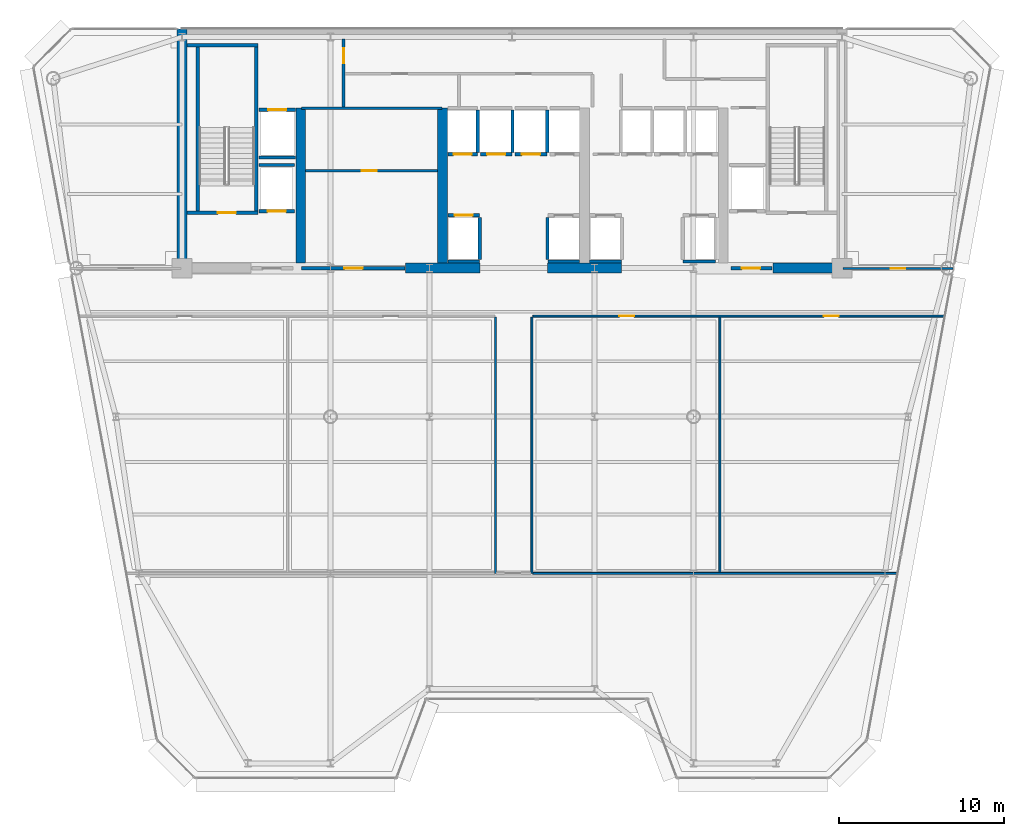
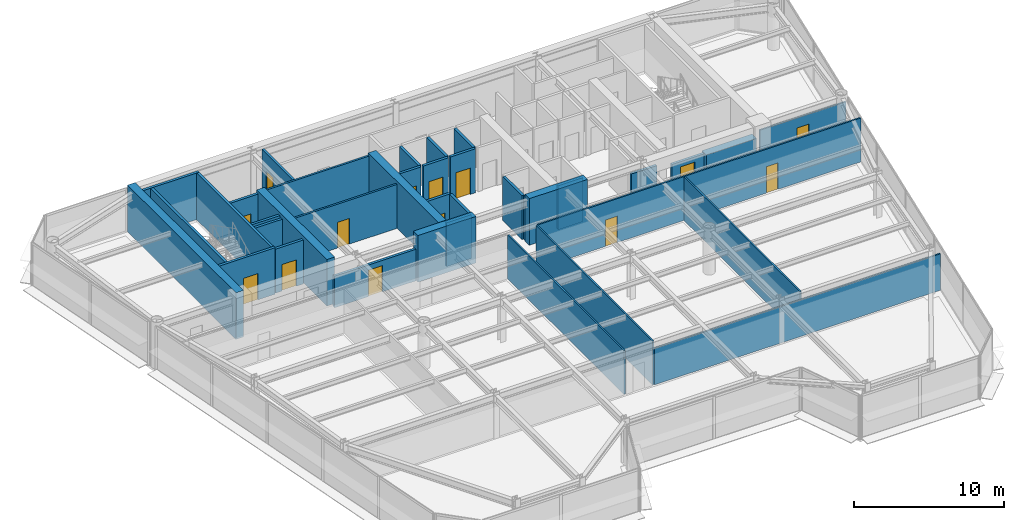
# One storey, part 9 of 15: 38 walls, 14 doors, 14 openings.
"""IFC4 building model written with IfcOpenShell, lengths in metres."""

from ifc_helpers import new_model, si_unit, direction, frame, frame_2d, origin, place, context, subcontext, project, spatial, rectangle, extrude, source, transform, mapped, material, layer, layer_set, type_object, element, fill, save


model = new_model("IFC4")

# Units and contexts
model_context = context("Model", 3, precision=1e-05, world=origin(), true_north=direction((0.0, 1.0)))
body_context = subcontext(model_context, "Body", "Model", "MODEL_VIEW")
ifc_project = project(units=[si_unit("LENGTHUNIT", "METRE"), si_unit("AREAUNIT", "SQUARE_METRE"), si_unit("VOLUMEUNIT", "CUBIC_METRE"), si_unit("PLANEANGLEUNIT", "RADIAN"), si_unit("MASSUNIT", "GRAM", prefix="KILO")], contexts=[model_context])

# Site, building, storey
site_placement = place(None, origin())
site = spatial("IfcSite", under=ifc_project, at=site_placement, CompositionType="ELEMENT")
building_placement = place(site_placement, origin())
building = spatial("IfcBuilding", under=site, at=building_placement, Name="Vaeldorn Concourse Tower", CompositionType="ELEMENT")
storey_placement = place(building_placement, frame((0.0, 0.0, 199.39990234375)))
storey = spatial("IfcBuildingStorey", under=building, at=storey_placement, Name="L51", CompositionType="ELEMENT", Elevation=199.39990234375)

# Walls
ifc_material_1 = material(Name="Concrete C50/60", Category="concrete")
ifc_layer_1 = layer(ifc_material_1, 0.60009765625)
ifc_layer_set_1 = layer_set([ifc_layer_1], Name="Concrete C50/60")
wall_type_1 = type_object("IfcWallType", Name="WL-CORE-600", PredefinedType="SHEAR", material=ifc_layer_set_1)
wall_1_placement = place(storey_placement, frame((14.0, 36.5, 0.0), z_axis=(0.0, 0.0, 1.0), x_axis=(0.0, 1.0, 0.0)))
element("IfcWall", 1, at=wall_1_placement, inside=storey, type_object=wall_type_1, Name="Rear Core Shear Wall L51 W1", PredefinedType="SHEAR", context=body_context, shape_type="SweptSolid", body=[
    extrude(rectangle(XDim=14.5, YDim=0.60009765625, at=frame_2d((7.25, 0.0))), origin(), (0.0, 0.0, 1.0), 3.800048828125),
])
for number, where, z_axis, x_axis, name in (
    (2, (27.550048828125, 36.5, 0.0), (0.0, 0.0, 1.0), (1.0, 0.0, 0.0), "Rear Core Shear Wall L51 S2"),
    (3, (36.14990234375, 36.5, 0.0), (0.0, 0.0, 1.0), (1.0, 0.0, 0.0), "Rear Core Shear Wall L51 S3"),
):
    element("IfcWall", number, at=place(storey_placement, frame(where, z_axis=z_axis, x_axis=x_axis)), inside=storey, type_object=wall_type_1, Name=name, PredefinedType="SHEAR", context=body_context, shape_type="SweptSolid", body=[
        extrude(rectangle(XDim=4.5, YDim=0.60009765625, at=frame_2d((2.25, 0.0))), origin(), (0.0, 0.0, 1.0), 3.800048828125),
    ])
wall_2_placement = place(storey_placement, frame((49.800048828125, 36.5, 0.0), z_axis=(0.0, 0.0, 1.0), x_axis=(1.0, 0.0, 0.0)))
element("IfcWall", 4, at=wall_2_placement, inside=storey, type_object=wall_type_1, Name="Rear Core Shear Wall L51 S4", PredefinedType="SHEAR", context=body_context, shape_type="SweptSolid", body=[
    extrude(rectangle(XDim=3.8798828125, YDim=0.60009765625, at=frame_2d((1.93994140625, 0.0))), origin(), (0.0, 0.0, 1.0), 2.580078125),
])
for number, where, z_axis, x_axis, name in (
    (5, (21.199951171875, 36.820068359375, 0.0), (0.0, 0.0, 1.0), (0.0, 1.0, 0.0), "Rear Core Shear Wall L51 M1"),
    (6, (29.800048828125, 36.820068359375, 0.0), (0.0, 0.0, 1.0), (0.0, 1.0, 0.0), "Rear Core Shear Wall L51 M2"),
):
    element("IfcWall", number, at=place(storey_placement, frame(where, z_axis=z_axis, x_axis=x_axis)), inside=storey, type_object=wall_type_1, Name=name, PredefinedType="SHEAR", context=body_context, shape_type="SweptSolid", body=[
        extrude(rectangle(XDim=9.3798828125, YDim=0.60009765625, at=frame_2d((4.68994140625, 0.0))), origin(), (0.0, 0.0, 1.0), 3.800048828125),
    ])

# Wall, openings, doors
ifc_material_2 = material(Name="Gypsum Board Partition", Category="gypsum")
ifc_layer_2 = layer(ifc_material_2, 0.1201171875)
ifc_layer_set_2 = layer_set([ifc_layer_2], Name="Gypsum Board Partition")
wall_type_2 = type_object("IfcWallType", Name="WL-PART-120", PredefinedType="PARTITIONING", material=ifc_layer_set_2)
wall_3_placement = place(storey_placement, frame((35.260009765625, 33.60009765625, 0.0), z_axis=(0.0, 0.0, 1.0), x_axis=(1.0, 0.0, 0.0)))
wall_3 = element("IfcWall", 7, at=wall_3_placement, inside=storey, type_object=wall_type_2, Name="Interior Wall PW-L51-C2SE", PredefinedType="PARTITIONING", context=body_context, shape_type="SweptSolid", body=[
    extrude(rectangle(XDim=24.927490234375, YDim=0.1201171875, at=frame_2d((12.4638671875, 0.0))), origin(), (0.0, 0.0, 1.0), 3.580078125),
])
opening_1_placement = place(wall_3_placement, frame((5.239990234375, 0.0, 0.0)))
opening_1 = element("IfcOpeningElement", 8, at=opening_1_placement, cuts=wall_3, Name="Opening D-03", PredefinedType="OPENING", context=body_context, shape_type="SweptSolid", body=[
    extrude(rectangle(XDim=0.89990234375, YDim=2.14990234375, at=frame_2d((0.449951171875, 1.074951171875))), frame((0.0, 0.070068359375, 0.0), z_axis=(0.0, -1.0, 0.0), x_axis=(1.0, 0.0, 0.0)), (0.0, 0.0, 1.0), 0.14013671875),
])
opening_2_placement = place(wall_3_placement, frame((17.634033203125, 0.0, 0.0)))
opening_2 = element("IfcOpeningElement", 9, at=opening_2_placement, cuts=wall_3, Name="Opening D-03", PredefinedType="OPENING", context=body_context, shape_type="SweptSolid", body=[
    extrude(rectangle(XDim=0.89990234375, YDim=2.14990234375, at=frame_2d((0.449951171875, 1.074951171875))), frame((0.0, 0.070068359375, 0.0), z_axis=(0.0, -1.0, 0.0), x_axis=(1.0, 0.0, 0.0)), (0.0, 0.0, 1.0), 0.14013671875),
])
ifc_material_3 = material(Name="Acoustic Bronze-Framed Glass Door", Category="glass")
door_type_1 = type_object("IfcDoorType", Name="DR-INT-900", OperationType="NOTDEFINED", PredefinedType="DOOR", material=ifc_material_3)
shared_shape_1 = source(origin(), body_context, "Body", "SweptSolid", [
    extrude(rectangle(XDim=0.89990234375, YDim=2.14990234375, at=frame_2d((0.449951171875, 1.074951171875))), frame((0.0, 0.02490234375, 0.0), z_axis=(0.0, -1.0, 0.0), x_axis=(1.0, 0.0, 0.0)), (0.0, 0.0, 1.0), 0.050048828125),
])
door_1_placement = place(opening_1_placement, origin())
door_1 = element("IfcDoor", 10, at=door_1_placement, inside=storey, type_object=door_type_1, Name="Interior Door DR-L51-Z2E1", OperationType="SINGLE_SWING_RIGHT", OverallHeight=2.14990234375, OverallWidth=0.89990234375, PredefinedType="DOOR", context=body_context, shape_type="MappedRepresentation", body=[
    mapped(shared_shape_1, transform((0.0, 0.0, 0.0), scale=1.0)),
])
fill(opening_1, door_1)
door_2_placement = place(opening_2_placement, origin())
door_2 = element("IfcDoor", 11, at=door_2_placement, inside=storey, type_object=door_type_1, Name="Interior Door DR-L51-Z2E2", OperationType="SINGLE_SWING_LEFT", OverallHeight=2.14990234375, OverallWidth=0.89990234375, PredefinedType="DOOR", context=body_context, shape_type="MappedRepresentation", body=[
    mapped(shared_shape_1, transform((0.0, 0.0, 0.0), scale=1.0)),
])
fill(opening_2, door_2)

# Walls
for number, where, z_axis, x_axis, name in (
    (12, (33.0, 18.0, 0.0), (0.0, 0.0, 1.0), (0.0, 1.0, 0.0), "Interior Wall PW-L51-SP2W"),
    (13, (35.199951171875, 18.0, 0.0), (0.0, 0.0, 1.0), (0.0, 1.0, 0.0), "Interior Wall PW-L51-SP2E"),
):
    element("IfcWall", number, at=place(storey_placement, frame(where, z_axis=z_axis, x_axis=x_axis)), inside=storey, type_object=wall_type_2, Name=name, PredefinedType="PARTITIONING", context=body_context, shape_type="SweptSolid", body=[
        extrude(rectangle(XDim=15.5400390625, YDim=0.1201171875, at=frame_2d((7.77001953125, 0.0))), origin(), (0.0, 0.0, 1.0), 3.580078125),
    ])

# Wall, opening, door
wall_4_placement = place(storey_placement, frame((54.06005859375, 36.47998046875, 0.0), z_axis=(0.0, 0.0, 1.0), x_axis=(1.0, 0.0, 0.0)))
wall_4 = element("IfcWall", 14, at=wall_4_placement, inside=storey, type_object=wall_type_2, Name="Interior Wall PW-L51-NES", PredefinedType="PARTITIONING", context=body_context, shape_type="SweptSolid", body=[
    extrude(rectangle(XDim=6.65087890625, YDim=0.1201171875, at=frame_2d((3.325439453125, 0.0))), origin(), (0.0, 0.0, 1.0), 2.97021484375),
])
opening_3_placement = place(wall_4_placement, frame((2.875, 0.0, 0.0)))
opening_3 = element("IfcOpeningElement", 15, at=opening_3_placement, cuts=wall_4, Name="Opening D-03", PredefinedType="OPENING", context=body_context, shape_type="SweptSolid", body=[
    extrude(rectangle(XDim=0.89990234375, YDim=2.14990234375, at=frame_2d((0.449951171875, 1.074951171875))), frame((0.0, 0.070068359375, 0.0), z_axis=(0.0, -1.0, 0.0), x_axis=(1.0, 0.0, 0.0)), (0.0, 0.0, 1.0), 0.14013671875),
])
door_3_placement = place(opening_3_placement, origin())
door_3 = element("IfcDoor", 16, at=door_3_placement, inside=storey, type_object=door_type_1, Name="Interior Door DR-L51-NEC", OperationType="SINGLE_SWING_RIGHT", OverallHeight=2.14990234375, OverallWidth=0.89990234375, PredefinedType="DOOR", context=body_context, shape_type="MappedRepresentation", body=[
    mapped(shared_shape_1, transform((0.0, 0.0, 0.0), scale=1.0)),
])
fill(opening_3, door_3)

# Walls
wall_5_placement = place(storey_placement, frame((35.260009765625, 18.0, 0.0), z_axis=(0.0, 0.0, 1.0), x_axis=(1.0, 0.0, 0.0)))
element("IfcWall", 17, at=wall_5_placement, inside=storey, type_object=wall_type_2, Name="Interior Wall PW-L51-S2EL", PredefinedType="PARTITIONING", context=body_context, shape_type="SweptSolid", body=[
    extrude(rectangle(XDim=22.0634765625, YDim=0.1201171875, at=frame_2d((11.03173828125, 0.0))), origin(), (0.0, 0.0, 1.0), 2.97021484375),
])
wall_6_placement = place(storey_placement, frame((46.60009765625, 18.06005859375, 0.0), z_axis=(0.0, 0.0, 1.0), x_axis=(0.0, 1.0, 0.0)))
element("IfcWall", 18, at=wall_6_placement, inside=storey, type_object=wall_type_2, Name="Interior Wall PW-L51-Z2EX1", PredefinedType="PARTITIONING", context=body_context, shape_type="SweptSolid", body=[
    extrude(rectangle(XDim=15.47998046875, YDim=0.1201171875, at=frame_2d((7.739990234375, 0.0))), origin(), (0.0, 0.0, 1.0), 3.580078125),
])
ifc_layer_3 = layer(ifc_material_2, 0.14990234375)
ifc_layer_set_3 = layer_set([ifc_layer_3], Name="Gypsum Board Partition")
wall_type_3 = type_object("IfcWallType", Name="WL-PART-150", PredefinedType="PARTITIONING", material=ifc_layer_set_3)
wall_7_placement = place(storey_placement, frame((21.25, 46.199951171875, 0.0), z_axis=(0.0, 0.0, 1.0), x_axis=(1.0, 0.0, 0.0)))
element("IfcWall", 19, at=wall_7_placement, inside=storey, type_object=wall_type_3, Name="Interior Wall CW-L51-R1N", PredefinedType="PARTITIONING", context=body_context, shape_type="SweptSolid", body=[
    extrude(rectangle(XDim=8.5, YDim=0.14990234375, at=frame_2d((4.25, 0.0))), origin(), (0.0, 0.0, 1.0), 3.580078125),
])

# Wall, opening, door
wall_8_placement = place(storey_placement, frame((21.5, 42.39990234375, 0.0), z_axis=(0.0, 0.0, 1.0), x_axis=(1.0, 0.0, 0.0)))
wall_8 = element("IfcWall", 20, at=wall_8_placement, inside=storey, type_object=wall_type_3, Name="Interior Wall CW-L51-R1M", PredefinedType="PARTITIONING", context=body_context, shape_type="SweptSolid", body=[
    extrude(rectangle(XDim=8.0, YDim=0.14990234375, at=frame_2d((4.0, 0.0))), origin(), (0.0, 0.0, 1.0), 3.580078125),
])
opening_4_placement = place(wall_8_placement, frame((3.39990234375, 0.0, 0.0)))
opening_4 = element("IfcOpeningElement", 21, at=opening_4_placement, cuts=wall_8, Name="Opening D-02", PredefinedType="OPENING", context=body_context, shape_type="SweptSolid", body=[
    extrude(rectangle(XDim=0.89990234375, YDim=2.10009765625, at=frame_2d((0.449951171875, 1.050048828125))), frame((0.0, 0.0849609375, 0.0), z_axis=(0.0, -1.0, 0.0), x_axis=(1.0, 0.0, 0.0)), (0.0, 0.0, 1.0), 0.169921875),
])
ifc_material_4 = material(Name="Fire-Rated Timber Leaf", Category="wood")
door_type_2 = type_object("IfcDoorType", Name="DR-FD30-900", OperationType="NOTDEFINED", PredefinedType="DOOR", material=ifc_material_4)
shared_shape_2 = source(origin(), body_context, "Body", "SweptSolid", [
    extrude(rectangle(XDim=0.89990234375, YDim=2.10009765625, at=frame_2d((0.449951171875, 1.050048828125))), frame((0.0, 0.02490234375, 0.0), z_axis=(0.0, -1.0, 0.0), x_axis=(1.0, 0.0, 0.0)), (0.0, 0.0, 1.0), 0.050048828125),
])
door_4_placement = place(opening_4_placement, origin())
door_4 = element("IfcDoor", 22, at=door_4_placement, inside=storey, type_object=door_type_2, Name="Interior Door DR-L51-R1M", OperationType="SINGLE_SWING_RIGHT", OverallHeight=2.10009765625, OverallWidth=0.89990234375, PredefinedType="DOOR", context=body_context, shape_type="MappedRepresentation", body=[
    mapped(shared_shape_2, transform((0.0, 0.0, 0.0), scale=1.0)),
])
fill(opening_4, door_4)

ifc_layer_4 = layer(ifc_material_2, 0.179931640625)
ifc_layer_set_4 = layer_set([ifc_layer_4], Name="Gypsum Board Partition")
wall_type_4 = type_object("IfcWallType", Name="WL-PLUMB-180", PredefinedType="PLUMBINGWALL", material=ifc_layer_set_4)
wall_9_placement = place(storey_placement, frame((23.800048828125, 46.280029296875, 0.0), z_axis=(0.0, 0.0, 1.0), x_axis=(0.0, 1.0, 0.0)))
wall_9 = element("IfcWall", 23, at=wall_9_placement, inside=storey, type_object=wall_type_4, Name="Interior Wall CW-L51-SDIV1", PredefinedType="PLUMBINGWALL", context=body_context, shape_type="SweptSolid", body=[
    extrude(rectangle(XDim=4.099853515625, YDim=0.179931640625, at=frame_2d((2.0498046875, 0.0))), origin(), (0.0, 0.0, 1.0), 3.580078125),
])
opening_5_placement = place(wall_9_placement, frame((2.635009765625, 0.0, 0.0)))
opening_5 = element("IfcOpeningElement", 24, at=opening_5_placement, cuts=wall_9, Name="Opening D-03", PredefinedType="OPENING", context=body_context, shape_type="SweptSolid", body=[
    extrude(rectangle(XDim=0.89990234375, YDim=2.14990234375, at=frame_2d((0.449951171875, 1.074951171875))), frame((0.0, 0.10009765625, 0.0), z_axis=(0.0, -1.0, 0.0), x_axis=(1.0, 0.0, 0.0)), (0.0, 0.0, 1.0), 0.199951171875),
])
door_5_placement = place(opening_5_placement, origin())
door_5 = element("IfcDoor", 25, at=door_5_placement, inside=storey, type_object=door_type_1, Name="Interior Door DR-L51-CS1", OperationType="SINGLE_SWING_LEFT", OverallHeight=2.14990234375, OverallWidth=0.89990234375, PredefinedType="DOOR", context=body_context, shape_type="MappedRepresentation", body=[
    mapped(shared_shape_1, transform((0.0, 0.0, 0.0), scale=1.0)),
])
fill(opening_5, door_5)

ifc_layer_5 = layer(ifc_material_1, 0.199951171875)
ifc_layer_set_5 = layer_set([ifc_layer_5], Name="Concrete C50/60")
wall_type_5 = type_object("IfcWallType", Name="WL-SHAFT-200", PredefinedType="SOLIDWALL", material=ifc_layer_set_5)
wall_10_placement = place(storey_placement, frame((14.300048828125, 39.85009765625, 0.0), z_axis=(0.0, 0.0, 1.0), x_axis=(1.0, 0.0, 0.0)))
wall_10 = element("IfcWall", 26, at=wall_10_placement, inside=storey, type_object=wall_type_5, Name="Stair Shaft Wall CW-L51-ST-1-S", PredefinedType="SOLIDWALL", context=body_context, shape_type="SweptSolid", body=[
    extrude(rectangle(XDim=4.300048828125, YDim=0.199951171875, at=frame_2d((2.14990234375, 0.0))), origin(), (0.0, 0.0, 1.0), 3.800048828125),
])
opening_6_placement = place(wall_10_placement, frame((1.875, 0.0, 0.0)))
opening_6 = element("IfcOpeningElement", 27, at=opening_6_placement, cuts=wall_10, Name="Opening D-01", PredefinedType="OPENING", context=body_context, shape_type="SweptSolid", body=[
    extrude(rectangle(XDim=1.10009765625, YDim=2.14990234375, at=frame_2d((0.550048828125, 1.074951171875))), frame((0.0, 0.10986328125, 0.0), z_axis=(0.0, -1.0, 0.0), x_axis=(1.0, 0.0, 0.0)), (0.0, 0.0, 1.0), 0.219970703125),
])
ifc_material_5 = material(Name="Fire-Rated Timber and Steel Leaf", Category="steel")
door_type_3 = type_object("IfcDoorType", Name="DR-FD60-1100", OperationType="NOTDEFINED", PredefinedType="DOOR", material=ifc_material_5)
shared_shape_3 = source(origin(), body_context, "Body", "SweptSolid", [
    extrude(rectangle(XDim=1.10009765625, YDim=2.14990234375, at=frame_2d((0.550048828125, 1.074951171875))), frame((0.0, 0.02490234375, 0.0), z_axis=(0.0, -1.0, 0.0), x_axis=(1.0, 0.0, 0.0)), (0.0, 0.0, 1.0), 0.050048828125),
])
door_6_placement = place(opening_6_placement, origin())
door_6 = element("IfcDoor", 28, at=door_6_placement, inside=storey, type_object=door_type_3, Name="Interior Door DR-L51-ST-1", OperationType="SINGLE_SWING_LEFT", OverallHeight=2.14990234375, OverallWidth=1.10009765625, PredefinedType="DOOR", context=body_context, shape_type="MappedRepresentation", body=[
    mapped(shared_shape_3, transform((0.0, 0.0, 0.0), scale=1.0)),
])
fill(opening_6, door_6)

# Walls
wall_11_placement = place(storey_placement, frame((14.300048828125, 50.0, 0.0), z_axis=(0.0, 0.0, 1.0), x_axis=(1.0, 0.0, 0.0)))
element("IfcWall", 29, at=wall_11_placement, inside=storey, type_object=wall_type_5, Name="Stair Shaft Wall CW-L51-ST-1-N", PredefinedType="SOLIDWALL", context=body_context, shape_type="SweptSolid", body=[
    extrude(rectangle(XDim=4.300048828125, YDim=0.199951171875, at=frame_2d((2.14990234375, 0.0))), origin(), (0.0, 0.0, 1.0), 3.800048828125),
])
for number, where, z_axis, x_axis, name in (
    (30, (14.949951171875, 39.9599609375, 0.0), (0.0, 0.0, 1.0), (0.0, 1.0, 0.0), "Stair Shaft Wall CW-L51-ST-1-W"),
    (31, (18.5, 39.9599609375, 0.0), (0.0, 0.0, 1.0), (0.0, 1.0, 0.0), "Stair Shaft Wall CW-L51-ST-1-E"),
):
    element("IfcWall", number, at=place(storey_placement, frame(where, z_axis=z_axis, x_axis=x_axis)), inside=storey, type_object=wall_type_5, Name=name, PredefinedType="SOLIDWALL", context=body_context, shape_type="SweptSolid", body=[
        extrude(rectangle(XDim=9.929931640625, YDim=0.199951171875, at=frame_2d((4.96484375, 0.0))), origin(), (0.0, 0.0, 1.0), 3.800048828125),
    ])

# Wall, opening, door
wall_12_placement = place(storey_placement, frame((47.280029296875, 36.5, 0.0), z_axis=(0.0, 0.0, 1.0), x_axis=(1.0, 0.0, 0.0)))
wall_12 = element("IfcWall", 32, at=wall_12_placement, inside=storey, type_object=wall_type_5, Name="Interior Wall CW-L51-FF2S", PredefinedType="SOLIDWALL", context=body_context, shape_type="SweptSolid", body=[
    extrude(rectangle(XDim=2.469970703125, YDim=0.199951171875, at=frame_2d((1.23486328125, 0.0))), origin(), (0.0, 0.0, 1.0), 2.570068359375),
])
opening_7_placement = place(wall_12_placement, frame((0.64990234375, 0.0, 0.0)))
opening_7 = element("IfcOpeningElement", 33, at=opening_7_placement, cuts=wall_12, Name="Opening D-01", PredefinedType="OPENING", context=body_context, shape_type="SweptSolid", body=[
    extrude(rectangle(XDim=1.10009765625, YDim=2.14990234375, at=frame_2d((0.550048828125, 1.074951171875))), frame((0.0, 0.10986328125, 0.0), z_axis=(0.0, -1.0, 0.0), x_axis=(1.0, 0.0, 0.0)), (0.0, 0.0, 1.0), 0.219970703125),
])
door_7_placement = place(opening_7_placement, origin())
door_7 = element("IfcDoor", 34, at=door_7_placement, inside=storey, type_object=door_type_3, Name="Interior Door DR-L51-FF2W", OperationType="SINGLE_SWING_LEFT", OverallHeight=2.14990234375, OverallWidth=1.10009765625, PredefinedType="DOOR", context=body_context, shape_type="MappedRepresentation", body=[
    mapped(shared_shape_3, transform((0.0, 0.0, 0.0), scale=1.0)),
])
fill(opening_7, door_7)

wall_13_placement = place(storey_placement, frame((30.110107421875, 39.699951171875, 0.0), z_axis=(0.0, 0.0, 1.0), x_axis=(1.0, 0.0, 0.0)))
wall_13 = element("IfcWall", 35, at=wall_13_placement, inside=storey, type_object=wall_type_5, Name="Interior Wall CW-L51-LF-LF-07", PredefinedType="SOLIDWALL", context=body_context, shape_type="SweptSolid", body=[
    extrude(rectangle(XDim=1.919921875, YDim=0.199951171875, at=frame_2d((0.9599609375, 0.0))), origin(), (0.0, 0.0, 1.0), 3.580078125),
])
opening_8_placement = place(wall_13_placement, frame((0.409912109375, 0.0, 0.0)))
opening_8 = element("IfcOpeningElement", 36, at=opening_8_placement, cuts=wall_13, Name="Opening LD-1", PredefinedType="OPENING", context=body_context, shape_type="SweptSolid", body=[
    extrude(rectangle(XDim=1.10009765625, YDim=2.14990234375, at=frame_2d((0.550048828125, 1.074951171875))), frame((0.0, 0.10986328125, 0.0), z_axis=(0.0, -1.0, 0.0), x_axis=(1.0, 0.0, 0.0)), (0.0, 0.0, 1.0), 0.219970703125),
])
ifc_material_6 = material(Name="Anodised Bronze Aluminium", Category="aluminium")
door_type_4 = type_object("IfcDoorType", Name="DR-LIFT-SLIDE-1100", OperationType="DOUBLE_DOOR_SLIDING", PredefinedType="DOOR", material=ifc_material_6)
door_8_placement = place(opening_8_placement, origin())
door_8 = element("IfcDoor", 37, at=door_8_placement, inside=storey, type_object=door_type_4, Name="Lift Landing Door LD-L51-LF-07", OperationType="DOUBLE_DOOR_SLIDING", OverallHeight=2.14990234375, OverallWidth=1.10009765625, PredefinedType="DOOR", context=body_context, shape_type="MappedRepresentation", body=[
    mapped(shared_shape_3, transform((0.0, 0.0, 0.0), scale=1.0)),
])
fill(opening_8, door_8)

# Walls
wall_14_placement = place(storey_placement, frame((30.110107421875, 36.89990234375, 0.0), z_axis=(0.0, 0.0, 1.0), x_axis=(1.0, 0.0, 0.0)))
element("IfcWall", 38, at=wall_14_placement, inside=storey, type_object=wall_type_5, Name="Interior Wall CW-L51-LFB-LF-07", PredefinedType="SOLIDWALL", context=body_context, shape_type="SweptSolid", body=[
    extrude(rectangle(XDim=1.919921875, YDim=0.199951171875, at=frame_2d((0.9599609375, 0.0))), origin(), (0.0, 0.0, 1.0), 3.580078125),
])
wall_15_placement = place(storey_placement, frame((32.050048828125, 37.02001953125, 0.0), z_axis=(0.0, 0.0, 1.0), x_axis=(0.0, 1.0, 0.0)))
element("IfcWall", 39, at=wall_15_placement, inside=storey, type_object=wall_type_5, Name="Interior Wall CW-L51-LFE-LF-07", PredefinedType="SOLIDWALL", context=body_context, shape_type="SweptSolid", body=[
    extrude(rectangle(XDim=2.56005859375, YDim=0.199951171875, at=frame_2d((1.280029296875, 0.0))), origin(), (0.0, 0.0, 1.0), 3.580078125),
])
wall_16_placement = place(storey_placement, frame((36.169921875, 36.89990234375, 0.0), z_axis=(0.0, 0.0, 1.0), x_axis=(1.0, 0.0, 0.0)))
element("IfcWall", 40, at=wall_16_placement, inside=storey, type_object=wall_type_5, Name="Interior Wall CW-L51-LFB-LF-08", PredefinedType="SOLIDWALL", context=body_context, shape_type="SweptSolid", body=[
    extrude(rectangle(XDim=1.920166015625, YDim=0.199951171875, at=frame_2d((0.9599609375, 0.0))), origin(), (0.0, 0.0, 1.0), 3.580078125),
])
wall_17_placement = place(storey_placement, frame((36.14990234375, 37.02001953125, 0.0), z_axis=(0.0, 0.0, 1.0), x_axis=(0.0, 1.0, 0.0)))
element("IfcWall", 41, at=wall_17_placement, inside=storey, type_object=wall_type_5, Name="Interior Wall CW-L51-LFW-LF-08", PredefinedType="SOLIDWALL", context=body_context, shape_type="SweptSolid", body=[
    extrude(rectangle(XDim=2.56005859375, YDim=0.199951171875, at=frame_2d((1.280029296875, 0.0))), origin(), (0.0, 0.0, 1.0), 3.580078125),
])

# Wall, opening, door
wall_18_placement = place(storey_placement, frame((30.110107421875, 43.39990234375, 0.0), z_axis=(0.0, 0.0, 1.0), x_axis=(1.0, 0.0, 0.0)))
wall_18 = element("IfcWall", 42, at=wall_18_placement, inside=storey, type_object=wall_type_5, Name="Interior Wall CW-L51-LF-LF-09", PredefinedType="SOLIDWALL", context=body_context, shape_type="SweptSolid", body=[
    extrude(rectangle(XDim=1.7998046875, YDim=0.199951171875, at=frame_2d((0.89990234375, 0.0))), origin(), (0.0, 0.0, 1.0), 3.580078125),
])
opening_9_placement = place(wall_18_placement, frame((0.35009765625, 0.0, 0.0)))
opening_9 = element("IfcOpeningElement", 43, at=opening_9_placement, cuts=wall_18, Name="Opening LD-1", PredefinedType="OPENING", context=body_context, shape_type="SweptSolid", body=[
    extrude(rectangle(XDim=1.10009765625, YDim=2.14990234375, at=frame_2d((0.550048828125, 1.074951171875))), frame((0.0, 0.10986328125, 0.0), z_axis=(0.0, -1.0, 0.0), x_axis=(1.0, 0.0, 0.0)), (0.0, 0.0, 1.0), 0.219970703125),
])
door_9_placement = place(opening_9_placement, origin())
door_9 = element("IfcDoor", 44, at=door_9_placement, inside=storey, type_object=door_type_4, Name="Lift Landing Door LD-L51-LF-09", OperationType="DOUBLE_DOOR_SLIDING", OverallHeight=2.14990234375, OverallWidth=1.10009765625, PredefinedType="DOOR", context=body_context, shape_type="MappedRepresentation", body=[
    mapped(shared_shape_3, transform((0.0, 0.0, 0.0), scale=1.0)),
])
fill(opening_9, door_9)

# Wall
wall_19_placement = place(storey_placement, frame((31.929931640625, 43.52001953125, 0.0), z_axis=(0.0, 0.0, 1.0), x_axis=(0.0, 1.0, 0.0)))
element("IfcWall", 45, at=wall_19_placement, inside=storey, type_object=wall_type_5, Name="Interior Wall CW-L51-LFE-LF-09", PredefinedType="SOLIDWALL", context=body_context, shape_type="SweptSolid", body=[
    extrude(rectangle(XDim=2.56005859375, YDim=0.199951171875, at=frame_2d((1.280029296875, 0.0))), origin(), (0.0, 0.0, 1.0), 3.580078125),
])

# Wall, opening, door
wall_20_placement = place(storey_placement, frame((32.090087890625, 43.39990234375, 0.0), z_axis=(0.0, 0.0, 1.0), x_axis=(1.0, 0.0, 0.0)))
wall_20 = element("IfcWall", 46, at=wall_20_placement, inside=storey, type_object=wall_type_5, Name="Interior Wall CW-L51-LF-LF-10", PredefinedType="SOLIDWALL", context=body_context, shape_type="SweptSolid", body=[
    extrude(rectangle(XDim=1.919921875, YDim=0.199951171875, at=frame_2d((0.9599609375, 0.0))), origin(), (0.0, 0.0, 1.0), 3.580078125),
])
opening_10_placement = place(wall_20_placement, frame((0.409912109375, 0.0, 0.0)))
opening_10 = element("IfcOpeningElement", 47, at=opening_10_placement, cuts=wall_20, Name="Opening LD-1", PredefinedType="OPENING", context=body_context, shape_type="SweptSolid", body=[
    extrude(rectangle(XDim=1.10009765625, YDim=2.14990234375, at=frame_2d((0.550048828125, 1.074951171875))), frame((0.0, 0.10986328125, 0.0), z_axis=(0.0, -1.0, 0.0), x_axis=(1.0, 0.0, 0.0)), (0.0, 0.0, 1.0), 0.219970703125),
])
door_10_placement = place(opening_10_placement, origin())
door_10 = element("IfcDoor", 48, at=door_10_placement, inside=storey, type_object=door_type_4, Name="Lift Landing Door LD-L51-LF-10", OperationType="DOUBLE_DOOR_SLIDING", OverallHeight=2.14990234375, OverallWidth=1.10009765625, PredefinedType="DOOR", context=body_context, shape_type="MappedRepresentation", body=[
    mapped(shared_shape_3, transform((0.0, 0.0, 0.0), scale=1.0)),
])
fill(opening_10, door_10)

# Wall
wall_21_placement = place(storey_placement, frame((34.030029296875, 43.52001953125, 0.0), z_axis=(0.0, 0.0, 1.0), x_axis=(0.0, 1.0, 0.0)))
element("IfcWall", 49, at=wall_21_placement, inside=storey, type_object=wall_type_5, Name="Interior Wall CW-L51-LFE-LF-10", PredefinedType="SOLIDWALL", context=body_context, shape_type="SweptSolid", body=[
    extrude(rectangle(XDim=2.56005859375, YDim=0.199951171875, at=frame_2d((1.280029296875, 0.0))), origin(), (0.0, 0.0, 1.0), 3.580078125),
])

# Wall, opening, door
wall_22_placement = place(storey_placement, frame((34.18994140625, 43.39990234375, 0.0), z_axis=(0.0, 0.0, 1.0), x_axis=(1.0, 0.0, 0.0)))
wall_22 = element("IfcWall", 50, at=wall_22_placement, inside=storey, type_object=wall_type_5, Name="Interior Wall CW-L51-LF-LF-11", PredefinedType="SOLIDWALL", context=body_context, shape_type="SweptSolid", body=[
    extrude(rectangle(XDim=1.920166015625, YDim=0.199951171875, at=frame_2d((0.9599609375, 0.0))), origin(), (0.0, 0.0, 1.0), 3.580078125),
])
opening_11_placement = place(wall_22_placement, frame((0.409912109375, 0.0, 0.0)))
opening_11 = element("IfcOpeningElement", 51, at=opening_11_placement, cuts=wall_22, Name="Opening LD-1", PredefinedType="OPENING", context=body_context, shape_type="SweptSolid", body=[
    extrude(rectangle(XDim=1.10009765625, YDim=2.14990234375, at=frame_2d((0.550048828125, 1.074951171875))), frame((0.0, 0.10986328125, 0.0), z_axis=(0.0, -1.0, 0.0), x_axis=(1.0, 0.0, 0.0)), (0.0, 0.0, 1.0), 0.219970703125),
])
door_11_placement = place(opening_11_placement, origin())
door_11 = element("IfcDoor", 52, at=door_11_placement, inside=storey, type_object=door_type_4, Name="Lift Landing Door LD-L51-LF-11", OperationType="DOUBLE_DOOR_SLIDING", OverallHeight=2.14990234375, OverallWidth=1.10009765625, PredefinedType="DOOR", context=body_context, shape_type="MappedRepresentation", body=[
    mapped(shared_shape_3, transform((0.0, 0.0, 0.0), scale=1.0)),
])
fill(opening_11, door_11)

# Walls
wall_23_placement = place(storey_placement, frame((36.1298828125, 43.52001953125, 0.0), z_axis=(0.0, 0.0, 1.0), x_axis=(0.0, 1.0, 0.0)))
element("IfcWall", 53, at=wall_23_placement, inside=storey, type_object=wall_type_5, Name="Interior Wall CW-L51-LFE-LF-11", PredefinedType="SOLIDWALL", context=body_context, shape_type="SweptSolid", body=[
    extrude(rectangle(XDim=2.56005859375, YDim=0.199951171875, at=frame_2d((1.280029296875, 0.0))), origin(), (0.0, 0.0, 1.0), 3.580078125),
])
wall_24_placement = place(storey_placement, frame((38.7099609375, 36.89990234375, 0.0), z_axis=(0.0, 0.0, 1.0), x_axis=(1.0, 0.0, 0.0)))
element("IfcWall", 54, at=wall_24_placement, inside=storey, type_object=wall_type_5, Name="Interior Wall CW-L51-LFB-LF-13", PredefinedType="SOLIDWALL", context=body_context, shape_type="SweptSolid", body=[
    extrude(rectangle(XDim=1.919921875, YDim=0.199951171875, at=frame_2d((0.9599609375, 0.0))), origin(), (0.0, 0.0, 1.0), 3.580078125),
])
wall_25_placement = place(storey_placement, frame((44.3701171875, 36.89990234375, 0.0), z_axis=(0.0, 0.0, 1.0), x_axis=(1.0, 0.0, 0.0)))
element("IfcWall", 55, at=wall_25_placement, inside=storey, type_object=wall_type_5, Name="Interior Wall CW-L51-LFB-LF-14", PredefinedType="SOLIDWALL", context=body_context, shape_type="SweptSolid", body=[
    extrude(rectangle(XDim=1.9599609375, YDim=0.199951171875, at=frame_2d((0.97998046875, 0.0))), origin(), (0.0, 0.0, 1.0), 2.570068359375),
])

# Wall, opening, door
wall_26_placement = place(storey_placement, frame((18.669921875, 46.10009765625, 0.0), z_axis=(0.0, 0.0, 1.0), x_axis=(1.0, 0.0, 0.0)))
wall_26 = element("IfcWall", 56, at=wall_26_placement, inside=storey, type_object=wall_type_5, Name="Interior Wall CW-L51-LF-LF-SV1", PredefinedType="SOLIDWALL", context=body_context, shape_type="SweptSolid", body=[
    extrude(rectangle(XDim=2.219970703125, YDim=0.199951171875, at=frame_2d((1.10986328125, 0.0))), origin(), (0.0, 0.0, 1.0), 3.580078125),
])
opening_12_placement = place(wall_26_placement, frame((0.56005859375, 0.0, 0.0)))
opening_12 = element("IfcOpeningElement", 57, at=opening_12_placement, cuts=wall_26, Name="Opening LD-1", PredefinedType="OPENING", context=body_context, shape_type="SweptSolid", body=[
    extrude(rectangle(XDim=1.10009765625, YDim=2.14990234375, at=frame_2d((0.550048828125, 1.074951171875))), frame((0.0, 0.10986328125, 0.0), z_axis=(0.0, -1.0, 0.0), x_axis=(1.0, 0.0, 0.0)), (0.0, 0.0, 1.0), 0.219970703125),
])
door_12_placement = place(opening_12_placement, origin())
door_12 = element("IfcDoor", 58, at=door_12_placement, inside=storey, type_object=door_type_4, Name="Lift Landing Door LD-L51-LF-SV1", OperationType="DOUBLE_DOOR_SLIDING", OverallHeight=2.14990234375, OverallWidth=1.10009765625, PredefinedType="DOOR", context=body_context, shape_type="MappedRepresentation", body=[
    mapped(shared_shape_3, transform((0.0, 0.0, 0.0), scale=1.0)),
])
fill(opening_12, door_12)

# Wall
wall_27_placement = place(storey_placement, frame((18.669921875, 43.199951171875, 0.0), z_axis=(0.0, 0.0, 1.0), x_axis=(1.0, 0.0, 0.0)))
element("IfcWall", 59, at=wall_27_placement, inside=storey, type_object=wall_type_5, Name="Interior Wall CW-L51-LFB-LF-SV1", PredefinedType="SOLIDWALL", context=body_context, shape_type="SweptSolid", body=[
    extrude(rectangle(XDim=2.219970703125, YDim=0.199951171875, at=frame_2d((1.10986328125, 0.0))), origin(), (0.0, 0.0, 1.0), 3.580078125),
])

# Wall, opening, door
wall_28_placement = place(storey_placement, frame((18.669921875, 39.949951171875, 0.0), z_axis=(0.0, 0.0, 1.0), x_axis=(1.0, 0.0, 0.0)))
wall_28 = element("IfcWall", 60, at=wall_28_placement, inside=storey, type_object=wall_type_5, Name="Interior Wall CW-L51-LF-LF-FF1", PredefinedType="SOLIDWALL", context=body_context, shape_type="SweptSolid", body=[
    extrude(rectangle(XDim=2.16015625, YDim=0.199951171875, at=frame_2d((1.080078125, 0.0))), origin(), (0.0, 0.0, 1.0), 3.580078125),
])
opening_13_placement = place(wall_28_placement, frame((0.530029296875, 0.0, 0.0)))
opening_13 = element("IfcOpeningElement", 61, at=opening_13_placement, cuts=wall_28, Name="Opening LD-1", PredefinedType="OPENING", context=body_context, shape_type="SweptSolid", body=[
    extrude(rectangle(XDim=1.10009765625, YDim=2.14990234375, at=frame_2d((0.550048828125, 1.074951171875))), frame((0.0, 0.10986328125, 0.0), z_axis=(0.0, -1.0, 0.0), x_axis=(1.0, 0.0, 0.0)), (0.0, 0.0, 1.0), 0.219970703125),
])
door_13_placement = place(opening_13_placement, origin())
door_13 = element("IfcDoor", 62, at=door_13_placement, inside=storey, type_object=door_type_4, Name="Lift Landing Door LD-L51-LF-FF1", OperationType="DOUBLE_DOOR_SLIDING", OverallHeight=2.14990234375, OverallWidth=1.10009765625, PredefinedType="DOOR", context=body_context, shape_type="MappedRepresentation", body=[
    mapped(shared_shape_3, transform((0.0, 0.0, 0.0), scale=1.0)),
])
fill(opening_13, door_13)

# Wall
wall_29_placement = place(storey_placement, frame((18.669921875, 42.75, 0.0), z_axis=(0.0, 0.0, 1.0), x_axis=(1.0, 0.0, 0.0)))
element("IfcWall", 63, at=wall_29_placement, inside=storey, type_object=wall_type_5, Name="Interior Wall CW-L51-LFB-LF-FF1", PredefinedType="SOLIDWALL", context=body_context, shape_type="SweptSolid", body=[
    extrude(rectangle(XDim=2.16015625, YDim=0.199951171875, at=frame_2d((1.080078125, 0.0))), origin(), (0.0, 0.0, 1.0), 3.580078125),
])

# Wall, opening, door
wall_30_placement = place(storey_placement, frame((21.25, 36.5, 0.0), z_axis=(0.0, 0.0, 1.0), x_axis=(1.0, 0.0, 0.0)))
wall_30 = element("IfcWall", 64, at=wall_30_placement, inside=storey, type_object=wall_type_5, Name="Interior Wall CW-L51-R1S", PredefinedType="SOLIDWALL", context=body_context, shape_type="SweptSolid", body=[
    extrude(rectangle(XDim=6.27001953125, YDim=0.199951171875, at=frame_2d((3.135009765625, 0.0))), origin(), (0.0, 0.0, 1.0), 2.570068359375),
])
opening_14_placement = place(wall_30_placement, frame((2.60009765625, 0.0, 0.0)))
opening_14 = element("IfcOpeningElement", 65, at=opening_14_placement, cuts=wall_30, Name="Opening D-01", PredefinedType="OPENING", context=body_context, shape_type="SweptSolid", body=[
    extrude(rectangle(XDim=1.10009765625, YDim=2.14990234375, at=frame_2d((0.550048828125, 1.074951171875))), frame((0.0, 0.10986328125, 0.0), z_axis=(0.0, -1.0, 0.0), x_axis=(1.0, 0.0, 0.0)), (0.0, 0.0, 1.0), 0.219970703125),
])
door_14_placement = place(opening_14_placement, origin())
door_14 = element("IfcDoor", 66, at=door_14_placement, inside=storey, type_object=door_type_3, Name="Interior Door DR-L51-R1S", OperationType="SINGLE_SWING_LEFT", OverallHeight=2.14990234375, OverallWidth=1.10009765625, PredefinedType="DOOR", context=body_context, shape_type="MappedRepresentation", body=[
    mapped(shared_shape_3, transform((0.0, 0.0, 0.0), scale=1.0)),
])
fill(opening_14, door_14)

save(model, "model.ifc")
